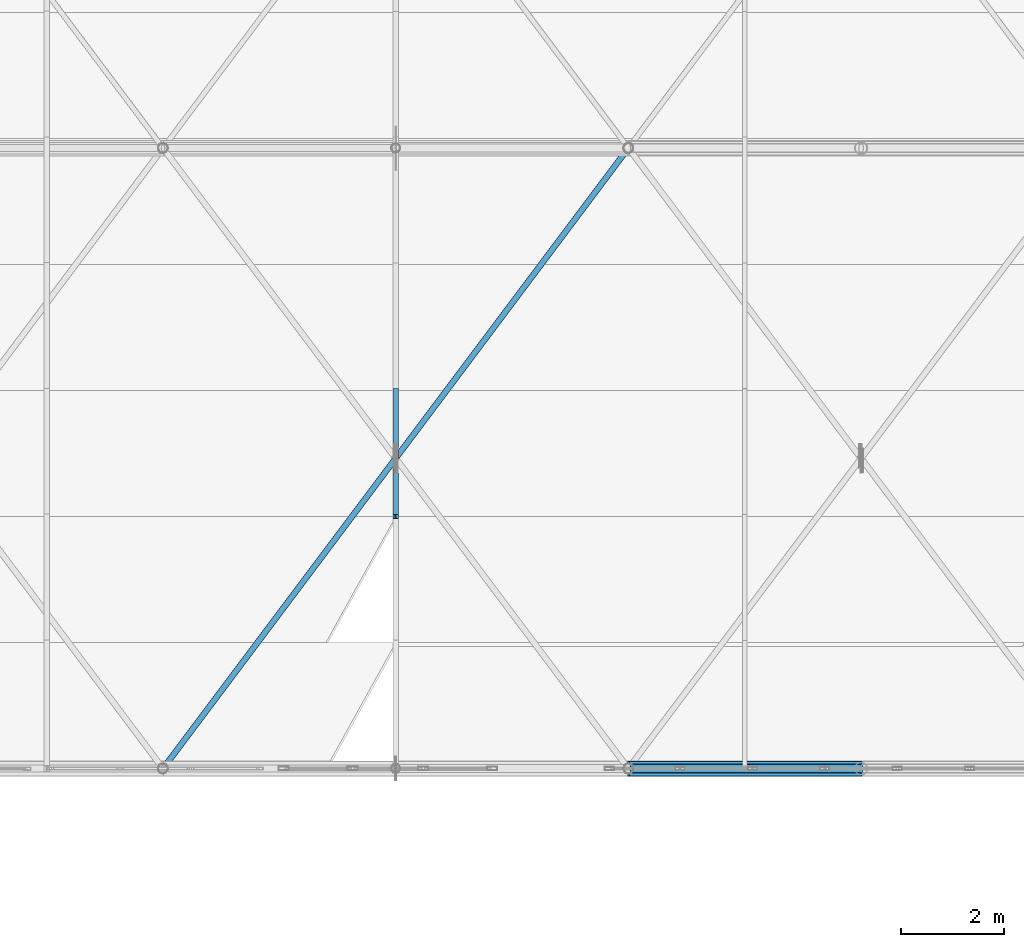
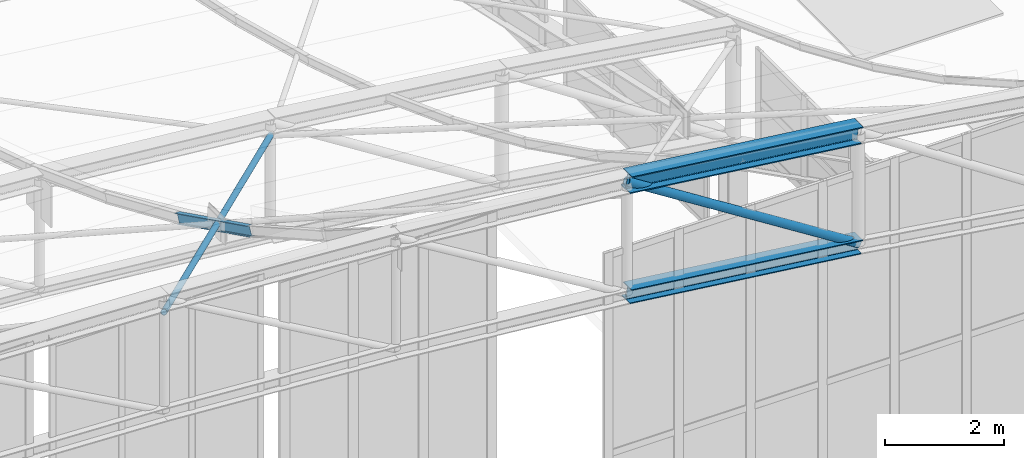
# One storey, part 67 of 262: 5 members.
"""IFC4 building model written with IfcOpenShell, lengths in metres."""

import ifcopenshell
import ifcopenshell.guid

model = None  # the IFC model being written
_history = None  # IfcOwnerHistory: only IFC2X3 demands one
_inside = {}  # id of a spatial element -> (the spatial element, [elements in it])
_under = {}  # id of a project, library or spatial element -> (it, [spatial elements below it])
_declared = {}  # id of a project -> (the project, [libraries it declares])
_typed = {}  # id of a type object -> (the type object, [elements of that type])
_made_of = {}  # id of a material, layer set ... -> (it, [elements and type objects made of it])


def new_model(schema):
    """Start an empty IFC model of exactly this schema.

    Asked for "IFC4X3", IfcOpenShell would pick the latest addendum, in which some entities
    have other attributes; the version numbers below select the first issue.
    IFC2X3 requires an IfcOwnerHistory on every rooted entity: one is made here for all.
    """
    global model, _history
    if schema == "IFC4X3":
        model = ifcopenshell.file(schema_version=(4, 3, 0, 0))
    else:
        model = ifcopenshell.file(schema=schema)
    _inside.clear()
    _under.clear()
    _declared.clear()
    _typed.clear()
    _made_of.clear()
    _history = None
    if model.schema == "IFC2X3":
        org = make("IfcOrganization", Name="unknown")
        user = make(
            "IfcPersonAndOrganization",
            ThePerson=make("IfcPerson", FamilyName="unknown"),
            TheOrganization=org,
        )
        app = make(
            "IfcApplication",
            ApplicationDeveloper=org,
            Version="unknown",
            ApplicationFullName="unknown",
            ApplicationIdentifier="unknown",
        )
        _history = make(
            "IfcOwnerHistory",
            OwningUser=user,
            OwningApplication=app,
            ChangeAction="ADDED",
            CreationDate=0,
        )
    return model


def make(cls, **values):
    """One entity of the class cls with the attributes given. An attribute that is None is left unset."""
    return model.create_entity(
        cls, **{name: value for name, value in values.items() if value is not None}
    )


def rooted(cls, **values):
    """An entity with a GlobalId (a new one), such as an element, a storey or a relation."""
    return make(cls, GlobalId=ifcopenshell.guid.new(), OwnerHistory=_history, **values)


def si_unit(unit_type, name, prefix=None):
    """IfcSIUnit, for example si_unit("LENGTHUNIT", "METRE", prefix="MILLI")."""
    return make("IfcSIUnit", UnitType=unit_type, Prefix=prefix, Name=name)


def derived_unit(unit_type, elements):
    """IfcDerivedUnit: a product of units, each with its exponent."""
    return make(
        "IfcDerivedUnit",
        Elements=[
            make("IfcDerivedUnitElement", Unit=unit, Exponent=power)
            for unit, power in elements
        ],
        UnitType=unit_type,
    )


def assignment(units):
    """IfcUnitAssignment: the units of a project."""
    return None if units is None else make("IfcUnitAssignment", Units=units)


def point(xyz):
    """IfcCartesianPoint."""
    return None if xyz is None else make("IfcCartesianPoint", Coordinates=xyz)


def direction(xyz):
    """IfcDirection."""
    return None if xyz is None else make("IfcDirection", DirectionRatios=xyz)


def frame(location, z_axis=None, x_axis=None):
    """IfcAxis2Placement3D, a coordinate frame: its origin and axes. An axis left out is left unset."""
    return make(
        "IfcAxis2Placement3D",
        Location=point(location),
        Axis=direction(z_axis),
        RefDirection=direction(x_axis),
    )


def frame_2d(location, x_axis=None):
    """IfcAxis2Placement2D, a coordinate frame in the plane: its origin and x axis."""
    return make(
        "IfcAxis2Placement2D", Location=point(location), RefDirection=direction(x_axis)
    )


def origin():
    """The frame at (0, 0, 0) with its axes left unset."""
    return frame((0.0, 0.0, 0.0))


def origin_2d():
    """The frame at (0, 0) in the plane with its x axis left unset."""
    return frame_2d((0.0, 0.0))


def place(relative_to, where):
    """IfcLocalPlacement: puts the frame where relative to a parent placement (None: the world)."""
    return make(
        "IfcLocalPlacement", PlacementRelTo=relative_to, RelativePlacement=where
    )


def context(
    kind, dimensions, precision=None, world=None, true_north=None, identifier=None
):
    """IfcGeometricRepresentationContext, for example the 3D "Model" context."""
    return make(
        "IfcGeometricRepresentationContext",
        ContextIdentifier=identifier,
        ContextType=kind,
        CoordinateSpaceDimension=dimensions,
        Precision=precision,
        WorldCoordinateSystem=world,
        TrueNorth=true_north,
    )


def subcontext(parent, identifier, kind, view, scale=None):
    """IfcGeometricRepresentationSubContext, for example "Body" below "Model"."""
    return make(
        "IfcGeometricRepresentationSubContext",
        ContextIdentifier=identifier,
        ContextType=kind,
        ParentContext=parent,
        TargetScale=scale,
        TargetView=view,
    )


def project(units=None, contexts=None):
    """IfcProject with its units and contexts."""
    return rooted(
        "IfcProject",
        Name="project",
        RepresentationContexts=contexts,
        UnitsInContext=assignment(units),
    )


def spatial(cls, under=None, at=None, **own):
    """A site, building, storey or space (cls), placed at a placement, below another one or the project."""
    s = rooted(cls, ObjectPlacement=at, **own)
    if under is not None:
        _under.setdefault(under.id(), (under, []))[1].append(s)
    return s


def profile(cls, at=None, kind="AREA", **sizes):
    """A parametric profile (cls). Its sizes go by their IFC names, for example OverallWidth=200.0."""
    return make(cls, ProfileType=kind, Position=at, **sizes)


def hollow_circle(**sizes):
    """IfcCircleHollowProfileDef."""
    return profile("IfcCircleHollowProfileDef", **sizes)


def i_section(**sizes):
    """IfcIShapeProfileDef."""
    return profile("IfcIShapeProfileDef", **sizes)


def extrude(swept, where, along, depth):
    """IfcExtrudedAreaSolid: the profile swept, set in the frame where, extruded along a direction by depth."""
    return make(
        "IfcExtrudedAreaSolid",
        SweptArea=swept,
        Position=where,
        ExtrudedDirection=direction(along),
        Depth=depth,
    )


def shape(context_of_items, identifier, shape_type, items):
    """IfcShapeRepresentation: the items that make up one representation, for example the "Body"."""
    return make(
        "IfcShapeRepresentation",
        ContextOfItems=context_of_items,
        RepresentationIdentifier=identifier,
        RepresentationType=shape_type,
        Items=items,
    )


def material(Name=None, Category=None):
    """IfcMaterial."""
    return make("IfcMaterial", Name=Name, Category=Category)


def material_profile(
    of_material, cross_section, Name=None, Category=None, Priority=None
):
    """IfcMaterialProfile: a cross section and its material."""
    return make(
        "IfcMaterialProfile",
        Name=Name,
        Material=of_material,
        Profile=cross_section,
        Priority=Priority,
        Category=Category,
    )


def profile_set(profiles, Name=None, composite=None):
    """IfcMaterialProfileSet."""
    return make(
        "IfcMaterialProfileSet",
        Name=Name,
        MaterialProfiles=profiles,
        CompositeProfile=composite,
    )


def made_of(thing, what):
    """Note that an element or type object is made of a material, layer set ...; save() writes the relation."""
    if what is not None:
        _made_of.setdefault(what.id(), (what, []))[1].append(thing)
    return thing


def type_object(cls, material=None, **own):
    """A type object (cls), such as IfcWallType, which elements share."""
    return made_of(rooted(cls, **own), material)


def element(
    cls,
    number,
    at=None,
    inside=None,
    cuts=None,
    type_object=None,
    material=None,
    context=None,
    identifier="Body",
    shape_type=None,
    held_by="IfcProductDefinitionShape",
    body=None,
    shapes=None,
    **own,
):
    """One element of the class cls, such as IfcWall. Its Tag is "e" and its number.

    at: its placement. inside: the storey or other place that contains it. cuts: it is an
    opening in that element (IfcRelVoidsElement). A single representation is given by context,
    identifier, shape_type and body (its items); several are given by shapes. held_by: the class
    of the entity that holds the representations. save() writes the other relations.
    """
    e = rooted(cls, Tag="e%d" % number, ObjectPlacement=at, **own)
    if body is not None:
        shapes = [shape(context, identifier, shape_type, body)]
    if shapes is not None:
        e.Representation = make(held_by, Representations=shapes)
    if inside is not None:
        _inside.setdefault(inside.id(), (inside, []))[1].append(e)
    if cuts is not None:
        rooted(
            "IfcRelVoidsElement", RelatingBuildingElement=cuts, RelatedOpeningElement=e
        )
    if type_object is not None:
        _typed.setdefault(type_object.id(), (type_object, []))[1].append(e)
    return made_of(e, material)


def aggregate(whole, parts):
    """IfcRelAggregates: a whole, such as a stair, and the parts it consists of."""
    return rooted("IfcRelAggregates", RelatingObject=whole, RelatedObjects=parts)


def save(model, path):
    """Write the relations noted so far, then the file.

    IfcRelAggregates (storeys below a building ...), IfcRelContainedInSpatialStructure (elements
    in a storey), IfcRelDefinesByType, IfcRelAssociatesMaterial and IfcRelDeclares: one each for
    every whole, place, type object, material and project.
    """
    for whole, parts in _under.values():
        aggregate(whole, parts)
    for where, things in _inside.values():
        rooted(
            "IfcRelContainedInSpatialStructure",
            RelatedElements=things,
            RelatingStructure=where,
        )
    for kind, things in _typed.values():
        rooted("IfcRelDefinesByType", RelatedObjects=things, RelatingType=kind)
    for what, things in _made_of.values():
        rooted("IfcRelAssociatesMaterial", RelatedObjects=things, RelatingMaterial=what)
    for by, libraries in _declared.values():
        rooted("IfcRelDeclares", RelatingContext=by, RelatedDefinitions=libraries)
    model.write(path)


model = new_model("IFC4")

# Units and contexts
model_context = context("Model", 3, precision=1e-05, world=origin(), true_north=direction((0.0, 1.0)))
body_context = subcontext(model_context, "Body", "Model", "MODEL_VIEW")
ifc_project = project(units=[si_unit("LENGTHUNIT", "METRE"), si_unit("AREAUNIT", "SQUARE_METRE"), si_unit("VOLUMEUNIT", "CUBIC_METRE"), si_unit("PLANEANGLEUNIT", "RADIAN"), si_unit("MASSUNIT", "GRAM", prefix="KILO"), derived_unit("THERMALTRANSMITTANCEUNIT", [(si_unit("POWERUNIT", "WATT"), 1), (si_unit("LENGTHUNIT", "METRE"), -2), (si_unit("THERMODYNAMICTEMPERATUREUNIT", "KELVIN"), -1)])], contexts=[model_context])

# Site, building, storey
site_placement = place(None, origin())
site = spatial("IfcSite", under=ifc_project, at=site_placement, CompositionType="ELEMENT")
building_placement = place(site_placement, origin())
building = spatial("IfcBuilding", under=site, at=building_placement, Name="Almenara Railside Exhibition Hall", CompositionType="ELEMENT")
storey_placement = place(building_placement, frame((0.0, 0.0, 21.699951171875)))
storey = spatial("IfcBuildingStorey", under=building, at=storey_placement, Name="RF", CompositionType="ELEMENT", Elevation=21.699951171875)

# Members
ifc_material = material(Name="Structural steel S355JR", Category="steel")
ifc_material_profile_1 = material_profile(ifc_material, i_section(OverallWidth=0.280029296875, OverallDepth=0.280029296875, WebThickness=0.010498046875, FlangeThickness=0.01806640625, FilletRadius=0.02392578125, at=origin_2d()), Name="HEB 280")
ifc_profile_set_1 = profile_set([ifc_material_profile_1], Name="Structural steel S355JR")
member_type_1 = type_object("IfcMemberType", Name="Arched Gable Bottom Chord HEB 280 S355JR", PredefinedType="CHORD", material=ifc_profile_set_1)
member_1_placement = place(storey_placement, frame((57.0, 48.0, 7.822265625), z_axis=(0.992612220818, 0.0, -0.121330041965), x_axis=(0.0, 1.0, 0.0)))
element("IfcMember", 1, at=member_1_placement, inside=storey, type_object=member_type_1, Name="MEM-BC-V1-00-10", PredefinedType="CHORD", context=body_context, shape_type="SweptSolid", body=[
    extrude(i_section(OverallWidth=0.280029296875, OverallDepth=0.280029296875, WebThickness=0.010498046875, FlangeThickness=0.01806640625, FilletRadius=0.02392578125, at=origin_2d()), origin(), (0.0, 0.0, 1.0), 4.533447265625),
])
ifc_material_profile_2 = material_profile(ifc_material, i_section(OverallWidth=0.300048828125, OverallDepth=0.340087890625, WebThickness=0.011962890625, FlangeThickness=0.021484375, FilletRadius=0.027099609375, at=origin_2d()), Name="HEB 340")
ifc_profile_set_2 = profile_set([ifc_material_profile_2], Name="Structural steel S355JR")
member_type_2 = type_object("IfcMemberType", Name="Arched Gable Top Chord HEB 340 S355JR", PredefinedType="CHORD", material=ifc_profile_set_2)
member_2_placement = place(storey_placement, frame((57.0, 48.0, 10.122314453125), z_axis=(0.992612220818, 0.0, -0.121330041965), x_axis=(0.0, 1.0, 0.0)))
element("IfcMember", 2, at=member_2_placement, inside=storey, type_object=member_type_2, Name="MEM-TC-V1-00-10", PredefinedType="CHORD", context=body_context, shape_type="SweptSolid", body=[
    extrude(i_section(OverallWidth=0.300048828125, OverallDepth=0.340087890625, WebThickness=0.011962890625, FlangeThickness=0.021484375, FilletRadius=0.027099609375, at=origin_2d()), origin(), (0.0, 0.0, 1.0), 4.533447265625),
])
ifc_material_profile_3 = material_profile(ifc_material, hollow_circle(Radius=0.05712890625, WallThickness=0.00439453125, at=origin_2d()), Name="CHS 114.3x4.5")
ifc_profile_set_3 = profile_set([ifc_material_profile_3], Name="Structural steel S355JR")
member_type_3 = type_object("IfcMemberType", Name="Roof Wind Plan X-Brace CHS 114.3x4.5 S355JR", PredefinedType="BRACE", material=ifc_profile_set_3)
member_3_placement = place(storey_placement, frame((48.0, 48.0, 10.57568359375), z_axis=(0.54657547258, 0.728767296773, -0.412496642324), x_axis=(-0.8, 0.6, 0.0)))
element("IfcMember", 3, at=member_3_placement, inside=storey, type_object=member_type_3, Name="MEM-WB-V1-WB-CHS114-00-08-C", PredefinedType="BRACE", context=body_context, shape_type="SweptSolid", body=[
    extrude(hollow_circle(Radius=0.05712890625, WallThickness=0.00439453125, at=origin_2d()), origin(), (0.0, 0.0, 1.0), 16.466064453125),
])
ifc_material_profile_4 = material_profile(ifc_material, i_section(OverallWidth=0.10009765625, OverallDepth=0.199951171875, WebThickness=0.005615234375, FlangeThickness=0.008544921875, FilletRadius=0.011962890625, at=origin_2d()), Name="IPE 200")
ifc_profile_set_4 = profile_set([ifc_material_profile_4], Name="Structural steel S355JR")
member_type_4 = type_object("IfcMemberType", Name="Standard Hall Roof Purlin IPE 200 S355JR", PredefinedType="PURLIN", material=ifc_profile_set_4)
member_4_placement = place(storey_placement, frame((52.5, 52.873291015625, 7.716552734375), z_axis=(0.0, 0.895376074457, -0.445310773831), x_axis=(-1.0, 0.0, 0.0)))
element("IfcMember", 4, at=member_4_placement, inside=storey, type_object=member_type_4, Name="MEM-PR-V1-PR-IPE200-06-02", PredefinedType="PURLIN", context=body_context, shape_type="SweptSolid", body=[
    extrude(i_section(OverallWidth=0.10009765625, OverallDepth=0.199951171875, WebThickness=0.005615234375, FlangeThickness=0.008544921875, FilletRadius=0.011962890625, at=origin_2d()), origin(), (0.0, 0.0, 1.0), 2.721435546875),
])
ifc_material_profile_5 = material_profile(ifc_material, hollow_circle(Radius=0.084228515625, WallThickness=0.006103515625, at=origin_2d()), Name="CHS 168.3x6")
ifc_profile_set_5 = profile_set([ifc_material_profile_5], Name="Structural steel S355JR")
member_type_5 = type_object("IfcMemberType", Name="Truss End Diagonal CHS 168.3x6 S355JR", PredefinedType="BRACE", material=ifc_profile_set_5)
member_5_placement = place(storey_placement, frame((57.0, 48.0, 10.122314453125), z_axis=(0.844810788273, 0.0, -0.535065166141), x_axis=(0.0, 1.0, 0.0)))
element("IfcMember", 5, at=member_5_placement, inside=storey, type_object=member_type_5, Name="MEM-TD-V1-00-10", PredefinedType="BRACE", context=body_context, shape_type="SweptSolid", body=[
    extrude(hollow_circle(Radius=0.084228515625, WallThickness=0.006103515625, at=origin_2d()), origin(), (0.0, 0.0, 1.0), 5.32666015625),
])

save(model, "model.ifc")
